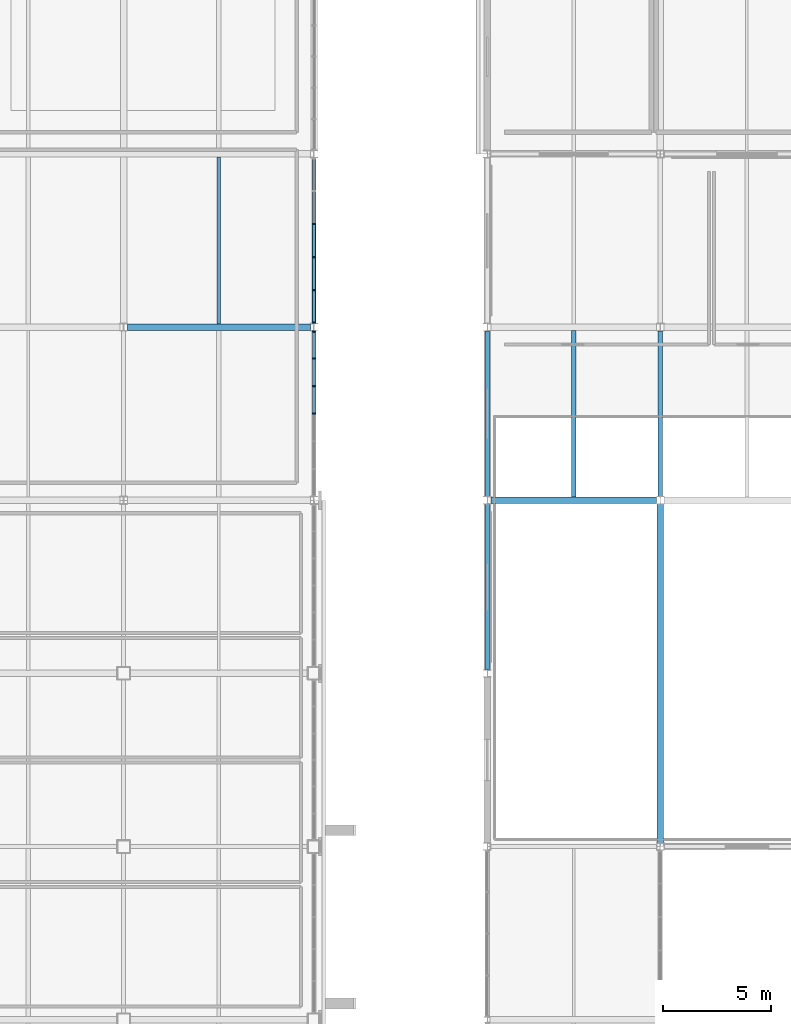
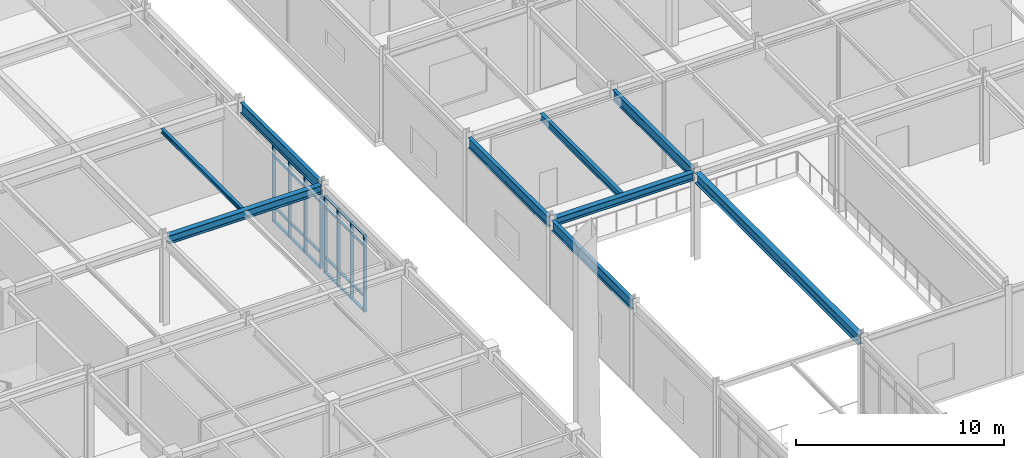
# One storey, part 66 of 184: 32 members, 9 beams, 2 elements without a shape of their own.
"""IFC4 building model written with IfcOpenShell, lengths in metres."""

from ifc_helpers import new_model, si_unit, direction, frame, origin, origin_2d, place, context, subcontext, project, spatial, rectangle, i_section, extrude, material, material_profile, profile_set, type_object, element, aggregate, save


model = new_model("IFC4")

# Units and contexts
model_context = context("Model", 3, precision=1e-05, world=origin(), true_north=direction((0.0, 1.0)))
body_context = subcontext(model_context, "Body", "Model", "MODEL_VIEW")
ifc_project = project(units=[si_unit("LENGTHUNIT", "METRE"), si_unit("AREAUNIT", "SQUARE_METRE"), si_unit("VOLUMEUNIT", "CUBIC_METRE"), si_unit("PLANEANGLEUNIT", "RADIAN"), si_unit("MASSUNIT", "GRAM", prefix="KILO")], contexts=[model_context])

# Site, building, storey
site_placement = place(None, origin())
site = spatial("IfcSite", under=ifc_project, at=site_placement, CompositionType="ELEMENT")
building_placement = place(site_placement, origin())
building = spatial("IfcBuilding", under=site, at=building_placement, Name="Zhaolan Boulevard Law Courts", CompositionType="ELEMENT")
storey_placement = place(building_placement, frame((0.0, 0.0, 5.39990234375)))
storey = spatial("IfcBuildingStorey", under=building, at=storey_placement, Name="L01", CompositionType="ELEMENT", Elevation=5.39990234375)

# Curtain wall, members
ifc_material_1 = material(Name="Thermally broken aluminium and low-E glazing", Category="aluminium")
curtain_wall_type_1 = type_object("IfcCurtainWallType", Name="CURTAIN WALL M15", PredefinedType="USERDEFINED", material=ifc_material_1)
curtain_wall_1_placement = place(storey_placement, origin())
curtain_wall_1 = element("IfcCurtainWall", 1, at=curtain_wall_1_placement, inside=storey, type_object=curtain_wall_type_1, Name="Curtain Wall CW-L01-111", ObjectType="CURTAIN WALL", PredefinedType="USERDEFINED")
ifc_material_2 = material(Name="Fluorocarbon-coated aluminium 6063-T6", Category="aluminium")
ifc_material_profile_1 = material_profile(ifc_material_2, rectangle(XDim=0.179931640625, YDim=0.06494140625, at=origin_2d()), Name="AL65x180")
ifc_profile_set_1 = profile_set([ifc_material_profile_1], Name="Fluorocarbon-coated aluminium 6063-T6")
member_type_1 = type_object("IfcMemberType", Name="CWMULLION 65X180", PredefinedType="MULLION", material=ifc_profile_set_1)
member_1_placement = place(storey_placement, frame((44.0, 82.0, 0.0), z_axis=(0.0, 0.0, 1.0), x_axis=(-1.0, 0.0, 0.0)))
member_1 = element("IfcMember", 2, at=member_1_placement, type_object=member_type_1, Name="CW-L01-111 mullion 4", PredefinedType="MULLION", context=body_context, shape_type="SweptSolid", body=[
    extrude(rectangle(XDim=0.179931640625, YDim=0.06494140625, at=origin_2d()), origin(), (0.0, 0.0, 1.0), 4.503173828125),
])
member_2_placement = place(storey_placement, frame((44.0, 83.2744140625, 0.0), z_axis=(0.0, 0.0, 1.0), x_axis=(-1.0, 0.0, 0.0)))
member_2 = element("IfcMember", 3, at=member_2_placement, type_object=member_type_1, Name="CW-L01-111 mullion 5", PredefinedType="MULLION", context=body_context, shape_type="SweptSolid", body=[
    extrude(rectangle(XDim=0.179931640625, YDim=0.06494140625, at=origin_2d()), origin(), (0.0, 0.0, 1.0), 4.503173828125),
])
member_3_placement = place(storey_placement, frame((44.0, 84.548583984375, 0.0), z_axis=(0.0, 0.0, 1.0), x_axis=(-1.0, 0.0, 0.0)))
member_3 = element("IfcMember", 4, at=member_3_placement, type_object=member_type_1, Name="CW-L01-111 mullion 6", PredefinedType="MULLION", context=body_context, shape_type="SweptSolid", body=[
    extrude(rectangle(XDim=0.179931640625, YDim=0.06494140625, at=origin_2d()), origin(), (0.0, 0.0, 1.0), 4.503173828125),
])
member_4_placement = place(storey_placement, frame((44.0, 85.79052734375, 0.0), z_axis=(0.0, 0.0, 1.0), x_axis=(-1.0, 0.0, 0.0)))
member_4 = element("IfcMember", 5, at=member_4_placement, type_object=member_type_1, Name="CW-L01-111 mullion 7", PredefinedType="MULLION", context=body_context, shape_type="SweptSolid", body=[
    extrude(rectangle(XDim=0.179931640625, YDim=0.06494140625, at=origin_2d()), origin(), (0.0, 0.0, 1.0), 4.503173828125),
])

ifc_material_3 = material(Name="Thermally broken aluminium and low-E glazing", Category="aluminium")
curtain_wall_type_2 = type_object("IfcCurtainWallType", Name="CURTAIN WALL M16", PredefinedType="USERDEFINED", material=ifc_material_3)
curtain_wall_2_placement = place(storey_placement, origin())
curtain_wall_2 = element("IfcCurtainWall", 6, at=curtain_wall_2_placement, inside=storey, type_object=curtain_wall_type_2, Name="Curtain Wall CW-L01-112", ObjectType="CURTAIN WALL", PredefinedType="USERDEFINED")
member_5_placement = place(storey_placement, frame((44.0, 86.20947265625, 0.0), z_axis=(0.0, 0.0, 1.0), x_axis=(-1.0, 0.0, 0.0)))
member_5 = element("IfcMember", 7, at=member_5_placement, type_object=member_type_1, Name="CW-L01-112 mullion 1", PredefinedType="MULLION", context=body_context, shape_type="SweptSolid", body=[
    extrude(rectangle(XDim=0.179931640625, YDim=0.06494140625, at=origin_2d()), origin(), (0.0, 0.0, 1.0), 4.503173828125),
])
member_6_placement = place(storey_placement, frame((44.0, 87.706298828125, 0.0), z_axis=(0.0, 0.0, 1.0), x_axis=(-1.0, 0.0, 0.0)))
member_6 = element("IfcMember", 8, at=member_6_placement, type_object=member_type_1, Name="CW-L01-112 mullion 2", PredefinedType="MULLION", context=body_context, shape_type="SweptSolid", body=[
    extrude(rectangle(XDim=0.179931640625, YDim=0.06494140625, at=origin_2d()), origin(), (0.0, 0.0, 1.0), 4.503173828125),
])
member_7_placement = place(storey_placement, frame((44.0, 89.2353515625, 0.0), z_axis=(0.0, 0.0, 1.0), x_axis=(-1.0, 0.0, 0.0)))
member_7 = element("IfcMember", 9, at=member_7_placement, type_object=member_type_1, Name="CW-L01-112 mullion 3", PredefinedType="MULLION", context=body_context, shape_type="SweptSolid", body=[
    extrude(rectangle(XDim=0.179931640625, YDim=0.06494140625, at=origin_2d()), origin(), (0.0, 0.0, 1.0), 4.503173828125),
])
member_8_placement = place(storey_placement, frame((44.0, 90.7646484375, 0.0), z_axis=(0.0, 0.0, 1.0), x_axis=(-1.0, 0.0, 0.0)))
member_8 = element("IfcMember", 10, at=member_8_placement, type_object=member_type_1, Name="CW-L01-112 mullion 4", PredefinedType="MULLION", context=body_context, shape_type="SweptSolid", body=[
    extrude(rectangle(XDim=0.179931640625, YDim=0.06494140625, at=origin_2d()), origin(), (0.0, 0.0, 1.0), 4.503173828125),
])

# Member
ifc_material_4 = material(Name="Fluorocarbon-coated aluminium 6063-T6", Category="aluminium")
ifc_material_profile_2 = material_profile(ifc_material_4, rectangle(XDim=0.139892578125, YDim=0.06494140625, at=origin_2d()), Name="AL65x140")
ifc_profile_set_2 = profile_set([ifc_material_profile_2], Name="Fluorocarbon-coated aluminium 6063-T6")
member_type_2 = type_object("IfcMemberType", Name="CWTRANSOM 65X140", PredefinedType="USERDEFINED", material=ifc_profile_set_2)
member_9_placement = place(storey_placement, frame((44.0, 82.032470703125, 0.03271484375), z_axis=(0.0, 1.0, 0.0), x_axis=(-1.0, 0.0, 0.0)))
member_9 = element("IfcMember", 11, at=member_9_placement, type_object=member_type_2, Name="CW-L01-111 transom 4.1", ObjectType="TRANSOM", PredefinedType="USERDEFINED", context=body_context, shape_type="SweptSolid", body=[
    extrude(rectangle(XDim=0.139892578125, YDim=0.06494140625, at=origin_2d()), origin(), (0.0, 0.0, 1.0), 1.20947265625),
])

member_10_placement = place(storey_placement, frame((44.0, 82.032470703125, 0.900146484375), z_axis=(0.0, 1.0, 0.0), x_axis=(-1.0, 0.0, 0.0)))
member_10 = element("IfcMember", 12, at=member_10_placement, type_object=member_type_2, Name="CW-L01-111 transom 4.2", ObjectType="TRANSOM", PredefinedType="USERDEFINED", context=body_context, shape_type="SweptSolid", body=[
    extrude(rectangle(XDim=0.139892578125, YDim=0.06494140625, at=origin_2d()), origin(), (0.0, 0.0, 1.0), 1.20947265625),
])

member_11_placement = place(storey_placement, frame((44.0, 82.032470703125, 3.85302734375), z_axis=(0.0, 1.0, 0.0), x_axis=(-1.0, 0.0, 0.0)))
member_11 = element("IfcMember", 13, at=member_11_placement, type_object=member_type_2, Name="CW-L01-111 transom 4.3", ObjectType="TRANSOM", PredefinedType="USERDEFINED", context=body_context, shape_type="SweptSolid", body=[
    extrude(rectangle(XDim=0.139892578125, YDim=0.06494140625, at=origin_2d()), origin(), (0.0, 0.0, 1.0), 1.20947265625),
])

member_12_placement = place(storey_placement, frame((44.0, 82.032470703125, 4.470703125), z_axis=(0.0, 1.0, 0.0), x_axis=(-1.0, 0.0, 0.0)))
member_12 = element("IfcMember", 14, at=member_12_placement, type_object=member_type_2, Name="CW-L01-111 transom 4.4", ObjectType="TRANSOM", PredefinedType="USERDEFINED", context=body_context, shape_type="SweptSolid", body=[
    extrude(rectangle(XDim=0.139892578125, YDim=0.06494140625, at=origin_2d()), origin(), (0.0, 0.0, 1.0), 1.20947265625),
])

member_13_placement = place(storey_placement, frame((44.0, 83.306884765625, 0.03271484375), z_axis=(0.0, 1.0, 0.0), x_axis=(-1.0, 0.0, 0.0)))
member_13 = element("IfcMember", 15, at=member_13_placement, type_object=member_type_2, Name="CW-L01-111 transom 5.1", ObjectType="TRANSOM", PredefinedType="USERDEFINED", context=body_context, shape_type="SweptSolid", body=[
    extrude(rectangle(XDim=0.139892578125, YDim=0.06494140625, at=origin_2d()), origin(), (0.0, 0.0, 1.0), 1.209228515625),
])

member_14_placement = place(storey_placement, frame((44.0, 83.306884765625, 0.900146484375), z_axis=(0.0, 1.0, 0.0), x_axis=(-1.0, 0.0, 0.0)))
member_14 = element("IfcMember", 16, at=member_14_placement, type_object=member_type_2, Name="CW-L01-111 transom 5.2", ObjectType="TRANSOM", PredefinedType="USERDEFINED", context=body_context, shape_type="SweptSolid", body=[
    extrude(rectangle(XDim=0.139892578125, YDim=0.06494140625, at=origin_2d()), origin(), (0.0, 0.0, 1.0), 1.209228515625),
])

member_15_placement = place(storey_placement, frame((44.0, 83.306884765625, 3.85302734375), z_axis=(0.0, 1.0, 0.0), x_axis=(-1.0, 0.0, 0.0)))
member_15 = element("IfcMember", 17, at=member_15_placement, type_object=member_type_2, Name="CW-L01-111 transom 5.3", ObjectType="TRANSOM", PredefinedType="USERDEFINED", context=body_context, shape_type="SweptSolid", body=[
    extrude(rectangle(XDim=0.139892578125, YDim=0.06494140625, at=origin_2d()), origin(), (0.0, 0.0, 1.0), 1.209228515625),
])

member_16_placement = place(storey_placement, frame((44.0, 83.306884765625, 4.470703125), z_axis=(0.0, 1.0, 0.0), x_axis=(-1.0, 0.0, 0.0)))
member_16 = element("IfcMember", 18, at=member_16_placement, type_object=member_type_2, Name="CW-L01-111 transom 5.4", ObjectType="TRANSOM", PredefinedType="USERDEFINED", context=body_context, shape_type="SweptSolid", body=[
    extrude(rectangle(XDim=0.139892578125, YDim=0.06494140625, at=origin_2d()), origin(), (0.0, 0.0, 1.0), 1.209228515625),
])

member_17_placement = place(storey_placement, frame((44.0, 84.5810546875, 0.03271484375), z_axis=(0.0, 1.0, 0.0), x_axis=(-1.0, 0.0, 0.0)))
member_17 = element("IfcMember", 19, at=member_17_placement, type_object=member_type_2, Name="CW-L01-111 transom 6.1", ObjectType="TRANSOM", PredefinedType="USERDEFINED", context=body_context, shape_type="SweptSolid", body=[
    extrude(rectangle(XDim=0.139892578125, YDim=0.06494140625, at=origin_2d()), origin(), (0.0, 0.0, 1.0), 1.177001953125),
])

member_18_placement = place(storey_placement, frame((44.0, 84.5810546875, 0.900146484375), z_axis=(0.0, 1.0, 0.0), x_axis=(-1.0, 0.0, 0.0)))
member_18 = element("IfcMember", 20, at=member_18_placement, type_object=member_type_2, Name="CW-L01-111 transom 6.2", ObjectType="TRANSOM", PredefinedType="USERDEFINED", context=body_context, shape_type="SweptSolid", body=[
    extrude(rectangle(XDim=0.139892578125, YDim=0.06494140625, at=origin_2d()), origin(), (0.0, 0.0, 1.0), 1.177001953125),
])

member_19_placement = place(storey_placement, frame((44.0, 84.5810546875, 3.85302734375), z_axis=(0.0, 1.0, 0.0), x_axis=(-1.0, 0.0, 0.0)))
member_19 = element("IfcMember", 21, at=member_19_placement, type_object=member_type_2, Name="CW-L01-111 transom 6.3", ObjectType="TRANSOM", PredefinedType="USERDEFINED", context=body_context, shape_type="SweptSolid", body=[
    extrude(rectangle(XDim=0.139892578125, YDim=0.06494140625, at=origin_2d()), origin(), (0.0, 0.0, 1.0), 1.177001953125),
])

member_20_placement = place(storey_placement, frame((44.0, 84.5810546875, 4.470703125), z_axis=(0.0, 1.0, 0.0), x_axis=(-1.0, 0.0, 0.0)))
member_20 = element("IfcMember", 22, at=member_20_placement, type_object=member_type_2, Name="CW-L01-111 transom 6.4", ObjectType="TRANSOM", PredefinedType="USERDEFINED", context=body_context, shape_type="SweptSolid", body=[
    extrude(rectangle(XDim=0.139892578125, YDim=0.06494140625, at=origin_2d()), origin(), (0.0, 0.0, 1.0), 1.177001953125),
])

aggregate(curtain_wall_1, [member_1, member_2, member_3, member_4, member_9, member_10, member_11, member_12, member_13, member_14, member_15, member_16, member_17, member_18, member_19, member_20])

member_21_placement = place(storey_placement, frame((44.0, 86.241943359375, 0.03271484375), z_axis=(0.0, 1.0, 0.0), x_axis=(-1.0, 0.0, 0.0)))
member_21 = element("IfcMember", 23, at=member_21_placement, type_object=member_type_2, Name="CW-L01-112 transom 1.1", ObjectType="TRANSOM", PredefinedType="USERDEFINED", context=body_context, shape_type="SweptSolid", body=[
    extrude(rectangle(XDim=0.139892578125, YDim=0.06494140625, at=origin_2d()), origin(), (0.0, 0.0, 1.0), 1.431640625),
])

member_22_placement = place(storey_placement, frame((44.0, 86.241943359375, 0.900146484375), z_axis=(0.0, 1.0, 0.0), x_axis=(-1.0, 0.0, 0.0)))
member_22 = element("IfcMember", 24, at=member_22_placement, type_object=member_type_2, Name="CW-L01-112 transom 1.2", ObjectType="TRANSOM", PredefinedType="USERDEFINED", context=body_context, shape_type="SweptSolid", body=[
    extrude(rectangle(XDim=0.139892578125, YDim=0.06494140625, at=origin_2d()), origin(), (0.0, 0.0, 1.0), 1.431640625),
])

member_23_placement = place(storey_placement, frame((44.0, 86.241943359375, 3.85302734375), z_axis=(0.0, 1.0, 0.0), x_axis=(-1.0, 0.0, 0.0)))
member_23 = element("IfcMember", 25, at=member_23_placement, type_object=member_type_2, Name="CW-L01-112 transom 1.3", ObjectType="TRANSOM", PredefinedType="USERDEFINED", context=body_context, shape_type="SweptSolid", body=[
    extrude(rectangle(XDim=0.139892578125, YDim=0.06494140625, at=origin_2d()), origin(), (0.0, 0.0, 1.0), 1.431640625),
])

member_24_placement = place(storey_placement, frame((44.0, 86.241943359375, 4.470703125), z_axis=(0.0, 1.0, 0.0), x_axis=(-1.0, 0.0, 0.0)))
member_24 = element("IfcMember", 26, at=member_24_placement, type_object=member_type_2, Name="CW-L01-112 transom 1.4", ObjectType="TRANSOM", PredefinedType="USERDEFINED", context=body_context, shape_type="SweptSolid", body=[
    extrude(rectangle(XDim=0.139892578125, YDim=0.06494140625, at=origin_2d()), origin(), (0.0, 0.0, 1.0), 1.431640625),
])

member_25_placement = place(storey_placement, frame((44.0, 87.73876953125, 0.03271484375), z_axis=(0.0, 1.0, 0.0), x_axis=(-1.0, 0.0, 0.0)))
member_25 = element("IfcMember", 27, at=member_25_placement, type_object=member_type_2, Name="CW-L01-112 transom 2.1", ObjectType="TRANSOM", PredefinedType="USERDEFINED", context=body_context, shape_type="SweptSolid", body=[
    extrude(rectangle(XDim=0.139892578125, YDim=0.06494140625, at=origin_2d()), origin(), (0.0, 0.0, 1.0), 1.464111328125),
])

member_26_placement = place(storey_placement, frame((44.0, 87.73876953125, 0.900146484375), z_axis=(0.0, 1.0, 0.0), x_axis=(-1.0, 0.0, 0.0)))
member_26 = element("IfcMember", 28, at=member_26_placement, type_object=member_type_2, Name="CW-L01-112 transom 2.2", ObjectType="TRANSOM", PredefinedType="USERDEFINED", context=body_context, shape_type="SweptSolid", body=[
    extrude(rectangle(XDim=0.139892578125, YDim=0.06494140625, at=origin_2d()), origin(), (0.0, 0.0, 1.0), 1.464111328125),
])

member_27_placement = place(storey_placement, frame((44.0, 87.73876953125, 3.85302734375), z_axis=(0.0, 1.0, 0.0), x_axis=(-1.0, 0.0, 0.0)))
member_27 = element("IfcMember", 29, at=member_27_placement, type_object=member_type_2, Name="CW-L01-112 transom 2.3", ObjectType="TRANSOM", PredefinedType="USERDEFINED", context=body_context, shape_type="SweptSolid", body=[
    extrude(rectangle(XDim=0.139892578125, YDim=0.06494140625, at=origin_2d()), origin(), (0.0, 0.0, 1.0), 1.464111328125),
])

member_28_placement = place(storey_placement, frame((44.0, 87.73876953125, 4.470703125), z_axis=(0.0, 1.0, 0.0), x_axis=(-1.0, 0.0, 0.0)))
member_28 = element("IfcMember", 30, at=member_28_placement, type_object=member_type_2, Name="CW-L01-112 transom 2.4", ObjectType="TRANSOM", PredefinedType="USERDEFINED", context=body_context, shape_type="SweptSolid", body=[
    extrude(rectangle(XDim=0.139892578125, YDim=0.06494140625, at=origin_2d()), origin(), (0.0, 0.0, 1.0), 1.464111328125),
])

member_29_placement = place(storey_placement, frame((44.0, 89.267822265625, 0.03271484375), z_axis=(0.0, 1.0, 0.0), x_axis=(-1.0, 0.0, 0.0)))
member_29 = element("IfcMember", 31, at=member_29_placement, type_object=member_type_2, Name="CW-L01-112 transom 3.1", ObjectType="TRANSOM", PredefinedType="USERDEFINED", context=body_context, shape_type="SweptSolid", body=[
    extrude(rectangle(XDim=0.139892578125, YDim=0.06494140625, at=origin_2d()), origin(), (0.0, 0.0, 1.0), 1.46435546875),
])

member_30_placement = place(storey_placement, frame((44.0, 89.267822265625, 0.900146484375), z_axis=(0.0, 1.0, 0.0), x_axis=(-1.0, 0.0, 0.0)))
member_30 = element("IfcMember", 32, at=member_30_placement, type_object=member_type_2, Name="CW-L01-112 transom 3.2", ObjectType="TRANSOM", PredefinedType="USERDEFINED", context=body_context, shape_type="SweptSolid", body=[
    extrude(rectangle(XDim=0.139892578125, YDim=0.06494140625, at=origin_2d()), origin(), (0.0, 0.0, 1.0), 1.46435546875),
])

member_31_placement = place(storey_placement, frame((44.0, 89.267822265625, 3.85302734375), z_axis=(0.0, 1.0, 0.0), x_axis=(-1.0, 0.0, 0.0)))
member_31 = element("IfcMember", 33, at=member_31_placement, type_object=member_type_2, Name="CW-L01-112 transom 3.3", ObjectType="TRANSOM", PredefinedType="USERDEFINED", context=body_context, shape_type="SweptSolid", body=[
    extrude(rectangle(XDim=0.139892578125, YDim=0.06494140625, at=origin_2d()), origin(), (0.0, 0.0, 1.0), 1.46435546875),
])

member_32_placement = place(storey_placement, frame((44.0, 89.267822265625, 4.470703125), z_axis=(0.0, 1.0, 0.0), x_axis=(-1.0, 0.0, 0.0)))
member_32 = element("IfcMember", 34, at=member_32_placement, type_object=member_type_2, Name="CW-L01-112 transom 3.4", ObjectType="TRANSOM", PredefinedType="USERDEFINED", context=body_context, shape_type="SweptSolid", body=[
    extrude(rectangle(XDim=0.139892578125, YDim=0.06494140625, at=origin_2d()), origin(), (0.0, 0.0, 1.0), 1.46435546875),
])

aggregate(curtain_wall_2, [member_5, member_6, member_7, member_8, member_21, member_22, member_23, member_24, member_25, member_26, member_27, member_28, member_29, member_30, member_31, member_32])

# Beams
ifc_material_5 = material(Name="Structural steel Q355B", Category="steel")
ifc_material_profile_3 = material_profile(ifc_material_5, i_section(OverallWidth=0.300048828125, OverallDepth=0.43994140625, WebThickness=0.010986328125, FlangeThickness=0.01806640625, FilletRadius=0.02001953125, at=origin_2d()), Name="HM440x300")
ifc_profile_set_3 = profile_set([ifc_material_profile_3], Name="Structural steel Q355B")
beam_type_1 = type_object("IfcBeamType", Name="GIRDER HM440", PredefinedType="BEAM", material=ifc_profile_set_3)
beam_1_placement = place(storey_placement, frame((52.1708984375, 78.0, 4.898193359375), z_axis=(1.0, 0.0, 0.0), x_axis=(0.0, 1.0, 0.0)))
element("IfcBeam", 35, at=beam_1_placement, inside=storey, type_object=beam_type_1, Name="Beam BX-L02-7-8-L", PredefinedType="BEAM", context=body_context, shape_type="SweptSolid", body=[
    extrude(i_section(OverallWidth=0.300048828125, OverallDepth=0.43994140625, WebThickness=0.010986328125, FlangeThickness=0.01806640625, FilletRadius=0.02001953125, at=origin_2d()), origin(), (0.0, 0.0, 1.0), 7.658203125),
])
ifc_material_6 = material(Name="Structural steel Q355B", Category="steel")
ifc_material_profile_4 = material_profile(ifc_material_6, i_section(OverallWidth=0.300048828125, OverallDepth=0.488037109375, WebThickness=0.010986328125, FlangeThickness=0.01806640625, FilletRadius=0.02197265625, at=origin_2d()), Name="HM488x300")
ifc_profile_set_4 = profile_set([ifc_material_profile_4], Name="Structural steel Q355B")
beam_type_2 = type_object("IfcBeamType", Name="GIRDER HM500", PredefinedType="BEAM", material=ifc_profile_set_4)
beam_2_placement = place(storey_placement, frame((35.37109375, 86.0, 4.8740234375), z_axis=(1.0, 0.0, 0.0), x_axis=(0.0, 1.0, 0.0)))
element("IfcBeam", 36, at=beam_2_placement, inside=storey, type_object=beam_type_2, Name="Beam BX-L02-5-6-M", PredefinedType="BEAM", context=body_context, shape_type="SweptSolid", body=[
    extrude(i_section(OverallWidth=0.300048828125, OverallDepth=0.488037109375, WebThickness=0.010986328125, FlangeThickness=0.01806640625, FilletRadius=0.02197265625, at=origin_2d()), origin(), (0.0, 0.0, 1.0), 8.4580078125),
])
ifc_material_7 = material(Name="Structural steel Q390B", Category="steel")
ifc_material_profile_5 = material_profile(ifc_material_7, i_section(OverallWidth=0.300048828125, OverallDepth=0.587890625, WebThickness=0.011962890625, FlangeThickness=0.02001953125, FilletRadius=0.02392578125, at=origin_2d()), Name="HM588x300")
ifc_profile_set_5 = profile_set([ifc_material_profile_5], Name="Structural steel Q390B")
beam_type_3 = type_object("IfcBeamType", Name="GIRDER HM588", PredefinedType="BEAM", material=ifc_profile_set_5)
beam_3_placement = place(storey_placement, frame((60.0, 62.1708984375, 4.82421875), z_axis=(0.0, 1.0, 0.0), x_axis=(-1.0, 0.0, 0.0)))
element("IfcBeam", 37, at=beam_3_placement, inside=storey, type_object=beam_type_3, Name="Beam BY-L02-8-J-L", PredefinedType="BEAM", context=body_context, shape_type="SweptSolid", body=[
    extrude(i_section(OverallWidth=0.300048828125, OverallDepth=0.587890625, WebThickness=0.011962890625, FlangeThickness=0.02001953125, FilletRadius=0.02392578125, at=origin_2d()), origin(), (0.0, 0.0, 1.0), 15.658203125),
])
ifc_material_8 = material(Name="Structural steel Q355B", Category="steel")
ifc_material_profile_6 = material_profile(ifc_material_8, i_section(OverallWidth=0.199951171875, OverallDepth=0.60009765625, WebThickness=0.010986328125, FlangeThickness=0.01708984375, FilletRadius=0.02001953125, at=origin_2d()), Name="HN600x200")
ifc_profile_set_6 = profile_set([ifc_material_profile_6], Name="Structural steel Q355B")
beam_type_4 = type_object("IfcBeamType", Name="GIRDER HN600", PredefinedType="BEAM", material=ifc_profile_set_6)
for number, where, z_axis, x_axis, name in (
    (38, (44.0, 86.1708984375, 4.818115234375), (0.0, 1.0, 0.0), (-1.0, 0.0, 0.0), "Beam BY-L02-6-M-N"),
    (39, (52.0, 70.1708984375, 4.818115234375), (0.0, 1.0, 0.0), (-1.0, 0.0, 0.0), "Beam BY-L02-7-K-L"),
    (40, (52.0, 78.1708984375, 4.818115234375), (0.0, 1.0, 0.0), (-1.0, 0.0, 0.0), "Beam BY-L02-7-L-M"),
    (41, (60.0, 78.1708984375, 4.818115234375), (0.0, 1.0, 0.0), (-1.0, 0.0, 0.0), "Beam BY-L02-8-L-M"),
):
    element("IfcBeam", number, at=place(storey_placement, frame(where, z_axis=z_axis, x_axis=x_axis)), inside=storey, type_object=beam_type_4, Name=name, PredefinedType="BEAM", context=body_context, shape_type="SweptSolid", body=[
        extrude(i_section(OverallWidth=0.199951171875, OverallDepth=0.60009765625, WebThickness=0.010986328125, FlangeThickness=0.01708984375, FilletRadius=0.02001953125, at=origin_2d()), origin(), (0.0, 0.0, 1.0), 7.658203125),
    ])
ifc_material_9 = material(Name="Structural steel Q355B", Category="steel")
ifc_material_profile_7 = material_profile(ifc_material_9, i_section(OverallWidth=0.175048828125, OverallDepth=0.243896484375, WebThickness=0.007080078125, FlangeThickness=0.010986328125, FilletRadius=0.012939453125, at=origin_2d()), Name="HM244x175")
ifc_profile_set_7 = profile_set([ifc_material_profile_7], Name="Structural steel Q355B")
beam_type_5 = type_object("IfcBeamType", Name="JOIST HM244", PredefinedType="JOIST", material=ifc_profile_set_7)
beam_4_placement = place(storey_placement, frame((39.60009765625, 86.14599609375, 4.99609375), z_axis=(0.0, 1.0, 0.0), x_axis=(-1.0, 0.0, 0.0)))
element("IfcBeam", 42, at=beam_4_placement, inside=storey, type_object=beam_type_5, Name="Composite Joist J-L02-5M", PredefinedType="JOIST", context=body_context, shape_type="SweptSolid", body=[
    extrude(i_section(OverallWidth=0.175048828125, OverallDepth=0.243896484375, WebThickness=0.007080078125, FlangeThickness=0.010986328125, FilletRadius=0.012939453125, at=origin_2d()), origin(), (0.0, 0.0, 1.0), 7.7080078125),
])
ifc_material_10 = material(Name="Structural steel Q355B", Category="steel")
ifc_material_profile_8 = material_profile(ifc_material_10, i_section(OverallWidth=0.199951171875, OverallDepth=0.39990234375, WebThickness=0.008056640625, FlangeThickness=0.012939453125, FilletRadius=0.013916015625, at=origin_2d()), Name="HN400x200")
ifc_profile_set_8 = profile_set([ifc_material_profile_8], Name="Structural steel Q355B")
beam_type_6 = type_object("IfcBeamType", Name="JOIST HN400", PredefinedType="JOIST", material=ifc_profile_set_8)
beam_5_placement = place(storey_placement, frame((56.0, 78.14599609375, 4.918212890625), z_axis=(0.0, 1.0, 0.0), x_axis=(-1.0, 0.0, 0.0)))
element("IfcBeam", 43, at=beam_5_placement, inside=storey, type_object=beam_type_6, Name="Composite Joist J-L02-7L", PredefinedType="JOIST", context=body_context, shape_type="SweptSolid", body=[
    extrude(i_section(OverallWidth=0.199951171875, OverallDepth=0.39990234375, WebThickness=0.008056640625, FlangeThickness=0.012939453125, FilletRadius=0.013916015625, at=origin_2d()), origin(), (0.0, 0.0, 1.0), 7.7080078125),
])

save(model, "model.ifc")
